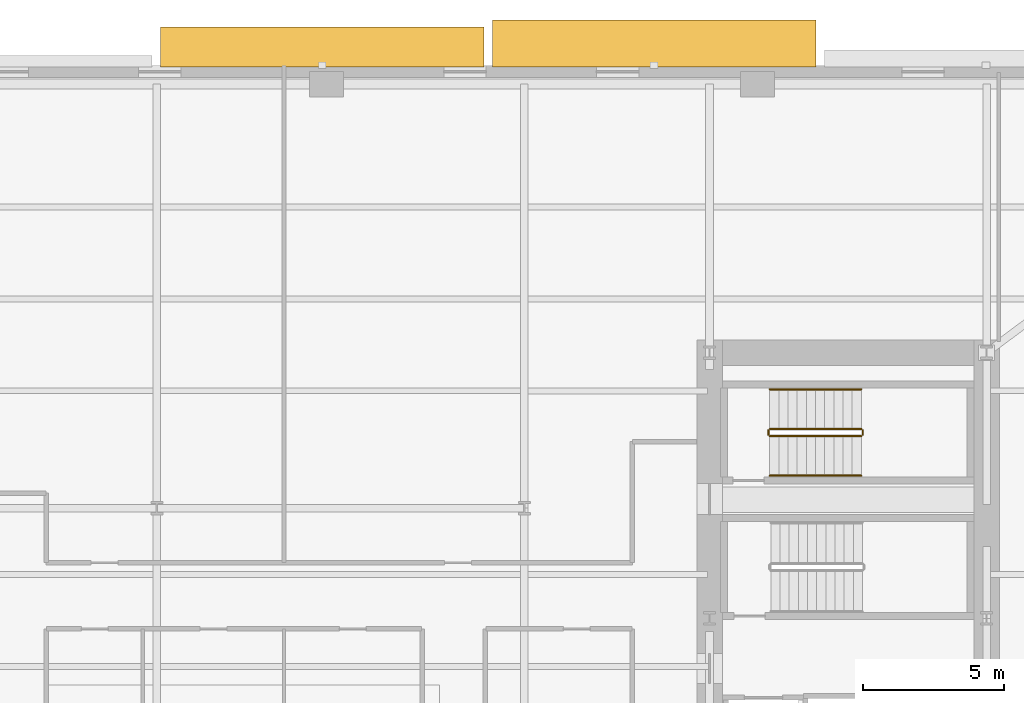
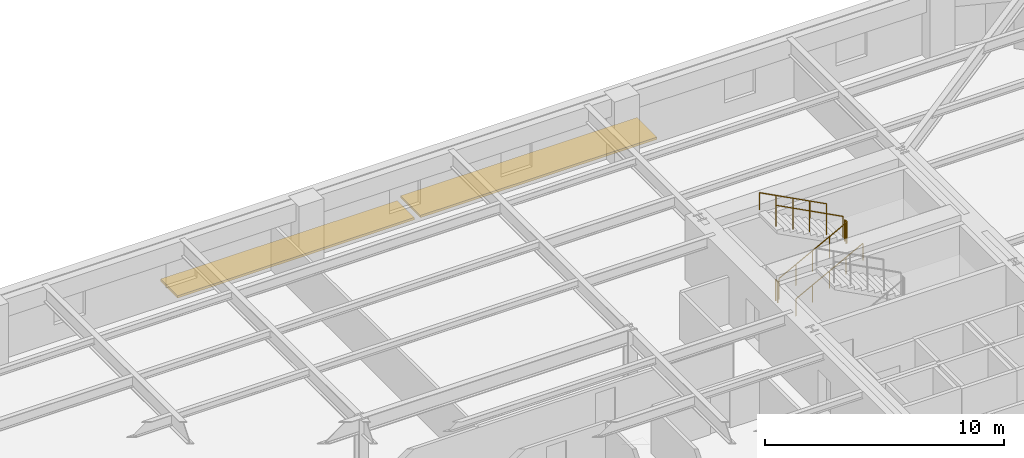
# One storey, part 13 of 14: 6 railings, 2 shading devices.
"""IFC4 building model written with IfcOpenShell, lengths in metres."""

from ifc_helpers import new_model, si_unit, direction, frame, origin, origin_2d, place, context, subcontext, project, spatial, rectangle, circle, extrude, material, type_object, element, save


model = new_model("IFC4")

# Units and contexts
model_context = context("Model", 3, precision=1e-05, world=origin(), true_north=direction((0.0, 1.0)))
body_context = subcontext(model_context, "Body", "Model", "MODEL_VIEW")
ifc_project = project(units=[si_unit("LENGTHUNIT", "METRE"), si_unit("AREAUNIT", "SQUARE_METRE"), si_unit("VOLUMEUNIT", "CUBIC_METRE"), si_unit("PLANEANGLEUNIT", "RADIAN"), si_unit("MASSUNIT", "GRAM", prefix="KILO")], contexts=[model_context])

# Site, building, storey
site_placement = place(None, origin())
site = spatial("IfcSite", under=ifc_project, at=site_placement, CompositionType="ELEMENT")
building_placement = place(site_placement, origin())
building = spatial("IfcBuilding", under=site, at=building_placement, Name="Kolvaren Arena Tower", CompositionType="ELEMENT")
storey_placement = place(building_placement, frame((0.0, 0.0, 90.75)))
storey = spatial("IfcBuildingStorey", under=building, at=storey_placement, Name="L20", CompositionType="ELEMENT", Elevation=90.75)

# Railings
ifc_material_1 = material(Name="Painted galvanized steel", Category="steel")
railing_type_1 = type_object("IfcRailingType", Name="GUARD-ST-110", PredefinedType="GUARDRAIL", material=ifc_material_1)
railing_1_placement = place(storey_placement, frame((52.679931640625, 36.39990234375, 0.17041015625)))
element("IfcRailing", 1, at=railing_1_placement, inside=storey, type_object=railing_type_1, Name="L20 ST-E2 stair guard 1", PredefinedType="GUARDRAIL", context=body_context, shape_type="SweptSolid", body=[
    extrude(circle(Radius=0.02392578125, at=origin_2d()), frame((0.0, 0.0, 1.076171875), z_axis=(0.884993431791, 0.0, 0.465603506952), x_axis=(0.0, 1.0, 0.0)), (0.0, 0.0, 1.0), 3.6611328125),
    extrude(circle(Radius=0.02099609375, at=origin_2d()), origin(), (0.0, 0.0, 1.0), 1.052001953125),
    extrude(circle(Radius=0.02099609375, at=origin_2d()), frame((0.81005859375, 0.0, 0.42626953125)), (0.0, 0.0, 1.0), 1.052001953125),
    extrude(circle(Radius=0.02099609375, at=origin_2d()), frame((1.6201171875, 0.0, 0.852294921875)), (0.0, 0.0, 1.0), 1.052001953125),
    extrude(circle(Radius=0.02099609375, at=origin_2d()), frame((2.429931640625, 0.0, 1.2783203125)), (0.0, 0.0, 1.0), 1.052001953125),
    extrude(circle(Radius=0.02099609375, at=origin_2d()), frame((3.239990234375, 0.0, 1.70458984375)), (0.0, 0.0, 1.0), 1.052001953125),
])
railing_2_placement = place(storey_placement, frame((55.969970703125, 36.449951171875, 1.875)))
element("IfcRailing", 2, at=railing_2_placement, inside=storey, type_object=railing_type_1, Name="L20 ST-E2 stair guard 2", PredefinedType="GUARDRAIL", context=body_context, shape_type="SweptSolid", body=[
    extrude(circle(Radius=0.02392578125, at=origin_2d()), frame((0.0, 0.0, 1.076171875), z_axis=(0.0, 1.0, 0.0), x_axis=(-1.0, 0.0, 0.0)), (0.0, 0.0, 1.0), 0.150146484375),
    extrude(circle(Radius=0.02099609375, at=origin_2d()), origin(), (0.0, 0.0, 1.0), 1.052001953125),
    extrude(circle(Radius=0.02099609375, at=origin_2d()), frame((0.0, 0.150146484375, 0.0)), (0.0, 0.0, 1.0), 1.052001953125),
])
railing_3_placement = place(storey_placement, frame((55.919921875, 36.64990234375, 2.04541015625)))
element("IfcRailing", 3, at=railing_3_placement, inside=storey, type_object=railing_type_1, Name="L20 ST-E2 stair guard 3", PredefinedType="GUARDRAIL", context=body_context, shape_type="SweptSolid", body=[
    extrude(circle(Radius=0.02392578125, at=origin_2d()), frame((0.0, 0.0, 1.076171875), z_axis=(-0.884993431791, 0.0, 0.465603506952), x_axis=(0.0, -1.0, 0.0)), (0.0, 0.0, 1.0), 3.6611328125),
    extrude(circle(Radius=0.02099609375, at=origin_2d()), origin(), (0.0, 0.0, 1.0), 1.052001953125),
    extrude(circle(Radius=0.02099609375, at=origin_2d()), frame((-0.81005859375, 0.0, 0.42626953125)), (0.0, 0.0, 1.0), 1.052001953125),
    extrude(circle(Radius=0.02099609375, at=origin_2d()), frame((-1.6201171875, 0.0, 0.852294921875)), (0.0, 0.0, 1.0), 1.052001953125),
    extrude(circle(Radius=0.02099609375, at=origin_2d()), frame((-2.429931640625, 0.0, 1.2783203125)), (0.0, 0.0, 1.0), 1.052001953125),
    extrude(circle(Radius=0.02099609375, at=origin_2d()), frame((-3.239990234375, 0.0, 1.70458984375)), (0.0, 0.0, 1.0), 1.052001953125),
])
railing_4_placement = place(storey_placement, frame((52.6298828125, 36.449951171875, 0.0)))
element("IfcRailing", 4, at=railing_4_placement, inside=storey, type_object=railing_type_1, Name="L20 ST-E2 stair guard 4", PredefinedType="GUARDRAIL", context=body_context, shape_type="SweptSolid", body=[
    extrude(circle(Radius=0.02392578125, at=origin_2d()), frame((0.0, 0.0, 1.076171875), z_axis=(0.0, 1.0, 0.0), x_axis=(-1.0, 0.0, 0.0)), (0.0, 0.0, 1.0), 0.150146484375),
    extrude(circle(Radius=0.02099609375, at=origin_2d()), origin(), (0.0, 0.0, 1.0), 1.052001953125),
    extrude(circle(Radius=0.02099609375, at=origin_2d()), frame((0.0, 0.150146484375, 0.0)), (0.0, 0.0, 1.0), 1.052001953125),
])
ifc_material_2 = material(Name="Brushed stainless steel handrail", Category="steel")
railing_type_2 = type_object("IfcRailingType", Name="HRAIL-900", PredefinedType="HANDRAIL", material=ifc_material_2)
railing_5_placement = place(storey_placement, frame((52.679931640625, 35.0, 0.17041015625)))
element("IfcRailing", 5, at=railing_5_placement, inside=storey, type_object=railing_type_2, Name="L20 ST-E2 stair handrail 1", PredefinedType="HANDRAIL", context=body_context, shape_type="SweptSolid", body=[
    extrude(circle(Radius=0.02392578125, at=origin_2d()), frame((0.0, 0.0, 0.8759765625), z_axis=(0.884993431791, 0.0, 0.465603506952), x_axis=(0.0, 1.0, 0.0)), (0.0, 0.0, 1.0), 3.6611328125),
    extrude(circle(Radius=0.02099609375, at=origin_2d()), origin(), (0.0, 0.0, 1.0), 0.851806640625),
    extrude(circle(Radius=0.02099609375, at=origin_2d()), frame((0.81005859375, 0.0, 0.42626953125)), (0.0, 0.0, 1.0), 0.851806640625),
    extrude(circle(Radius=0.02099609375, at=origin_2d()), frame((1.6201171875, 0.0, 0.852294921875)), (0.0, 0.0, 1.0), 0.851806640625),
    extrude(circle(Radius=0.02099609375, at=origin_2d()), frame((2.429931640625, 0.0, 1.2783203125)), (0.0, 0.0, 1.0), 0.851806640625),
    extrude(circle(Radius=0.02099609375, at=origin_2d()), frame((3.239990234375, 0.0, 1.70458984375)), (0.0, 0.0, 1.0), 0.851806640625),
])
railing_6_placement = place(storey_placement, frame((55.919921875, 38.050048828125, 2.04541015625)))
element("IfcRailing", 6, at=railing_6_placement, inside=storey, type_object=railing_type_2, Name="L20 ST-E2 stair handrail 2", PredefinedType="HANDRAIL", context=body_context, shape_type="SweptSolid", body=[
    extrude(circle(Radius=0.02392578125, at=origin_2d()), frame((0.0, 0.0, 0.8759765625), z_axis=(-0.884993431791, 0.0, 0.465603506952), x_axis=(0.0, -1.0, 0.0)), (0.0, 0.0, 1.0), 3.6611328125),
    extrude(circle(Radius=0.02099609375, at=origin_2d()), origin(), (0.0, 0.0, 1.0), 0.851806640625),
    extrude(circle(Radius=0.02099609375, at=origin_2d()), frame((-0.81005859375, 0.0, 0.42626953125)), (0.0, 0.0, 1.0), 0.851806640625),
    extrude(circle(Radius=0.02099609375, at=origin_2d()), frame((-1.6201171875, 0.0, 0.852294921875)), (0.0, 0.0, 1.0), 0.851806640625),
    extrude(circle(Radius=0.02099609375, at=origin_2d()), frame((-2.429931640625, 0.0, 1.2783203125)), (0.0, 0.0, 1.0), 0.851806640625),
    extrude(circle(Radius=0.02099609375, at=origin_2d()), frame((-3.239990234375, 0.0, 1.70458984375)), (0.0, 0.0, 1.0), 0.851806640625),
])

# Shading devices
ifc_material_3 = material(Name="Architectural precast GFRC and anodised aluminium sunshade", Category="concrete")
shading_device_type = type_object("IfcShadingDeviceType", Name="SHAD-SINE-B", PredefinedType="JALOUSIE", material=ifc_material_3)
shading_device_1_placement = place(storey_placement, frame((36.85009765625, 50.164794921875, -0.14013671875), z_axis=(0.0, 0.0, 1.0), x_axis=(1.0, 0.0, 0.0)))
element("IfcShadingDevice", 7, at=shading_device_1_placement, inside=storey, type_object=shading_device_type, Name="Sinusoidal Slab-Edge Sunshade Louvre (L20)", PredefinedType="JALOUSIE", context=body_context, shape_type="SweptSolid", body=[
    extrude(rectangle(XDim=11.43994140625, YDim=1.42919921875, at=origin_2d()), origin(), (0.0, 0.0, 1.0), 0.1201171875),
])
shading_device_2_placement = place(storey_placement, frame((48.590087890625, 50.2841796875, -0.14013671875), z_axis=(0.0, 0.0, 1.0), x_axis=(1.0, 0.0, 0.0)))
element("IfcShadingDevice", 8, at=shading_device_2_placement, inside=storey, type_object=shading_device_type, Name="Sinusoidal Slab-Edge Sunshade Louvre (L20)", PredefinedType="JALOUSIE", context=body_context, shape_type="SweptSolid", body=[
    extrude(rectangle(XDim=11.43994140625, YDim=1.668212890625, at=origin_2d()), origin(), (0.0, 0.0, 1.0), 0.1201171875),
])

save(model, "model.ifc")
